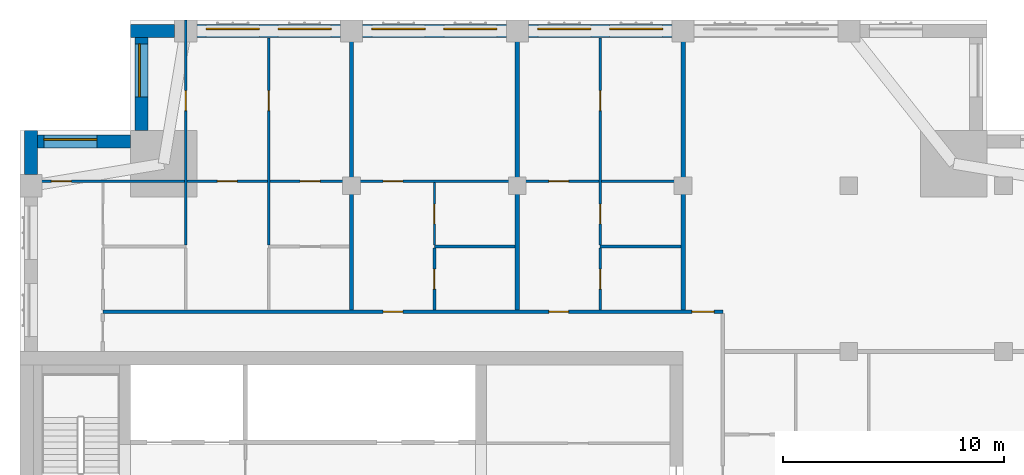
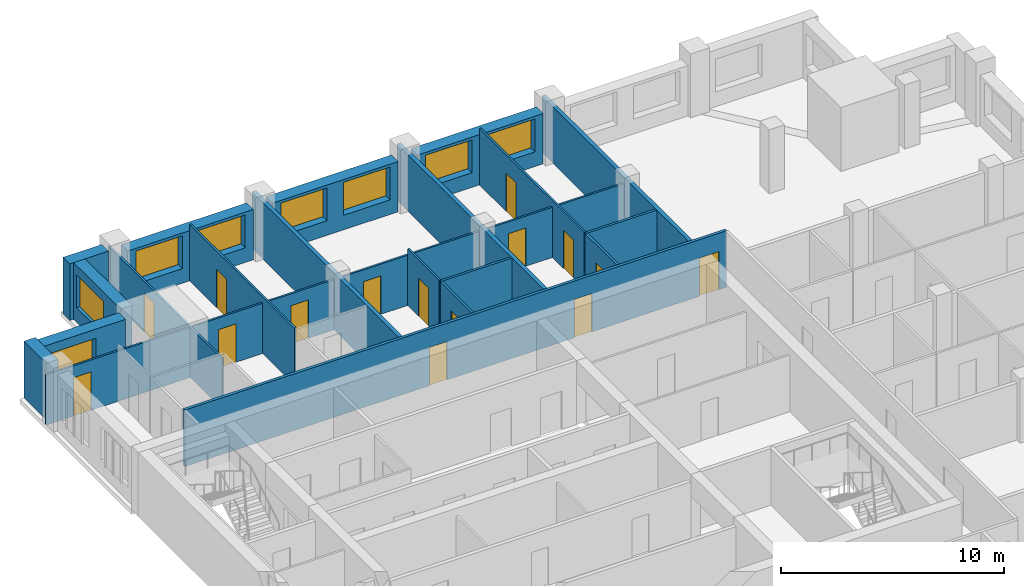
# One storey, part 7 of 11: 20 walls, 15 doors, 8 windows, 23 openings.
"""IFC4 building model written with IfcOpenShell, lengths in metres."""

import ifcopenshell
import ifcopenshell.guid

model = None  # the IFC model being written
_history = None  # IfcOwnerHistory: only IFC2X3 demands one
_inside = {}  # id of a spatial element -> (the spatial element, [elements in it])
_under = {}  # id of a project, library or spatial element -> (it, [spatial elements below it])
_declared = {}  # id of a project -> (the project, [libraries it declares])
_typed = {}  # id of a type object -> (the type object, [elements of that type])
_made_of = {}  # id of a material, layer set ... -> (it, [elements and type objects made of it])


def new_model(schema):
    """Start an empty IFC model of exactly this schema.

    Asked for "IFC4X3", IfcOpenShell would pick the latest addendum, in which some entities
    have other attributes; the version numbers below select the first issue.
    IFC2X3 requires an IfcOwnerHistory on every rooted entity: one is made here for all.
    """
    global model, _history
    if schema == "IFC4X3":
        model = ifcopenshell.file(schema_version=(4, 3, 0, 0))
    else:
        model = ifcopenshell.file(schema=schema)
    _inside.clear()
    _under.clear()
    _declared.clear()
    _typed.clear()
    _made_of.clear()
    _history = None
    if model.schema == "IFC2X3":
        org = make("IfcOrganization", Name="unknown")
        user = make(
            "IfcPersonAndOrganization",
            ThePerson=make("IfcPerson", FamilyName="unknown"),
            TheOrganization=org,
        )
        app = make(
            "IfcApplication",
            ApplicationDeveloper=org,
            Version="unknown",
            ApplicationFullName="unknown",
            ApplicationIdentifier="unknown",
        )
        _history = make(
            "IfcOwnerHistory",
            OwningUser=user,
            OwningApplication=app,
            ChangeAction="ADDED",
            CreationDate=0,
        )
    return model


def make(cls, **values):
    """One entity of the class cls with the attributes given. An attribute that is None is left unset."""
    return model.create_entity(
        cls, **{name: value for name, value in values.items() if value is not None}
    )


def rooted(cls, **values):
    """An entity with a GlobalId (a new one), such as an element, a storey or a relation."""
    return make(cls, GlobalId=ifcopenshell.guid.new(), OwnerHistory=_history, **values)


def si_unit(unit_type, name, prefix=None):
    """IfcSIUnit, for example si_unit("LENGTHUNIT", "METRE", prefix="MILLI")."""
    return make("IfcSIUnit", UnitType=unit_type, Prefix=prefix, Name=name)


def assignment(units):
    """IfcUnitAssignment: the units of a project."""
    return None if units is None else make("IfcUnitAssignment", Units=units)


def point(xyz):
    """IfcCartesianPoint."""
    return None if xyz is None else make("IfcCartesianPoint", Coordinates=xyz)


def direction(xyz):
    """IfcDirection."""
    return None if xyz is None else make("IfcDirection", DirectionRatios=xyz)


def frame(location, z_axis=None, x_axis=None):
    """IfcAxis2Placement3D, a coordinate frame: its origin and axes. An axis left out is left unset."""
    return make(
        "IfcAxis2Placement3D",
        Location=point(location),
        Axis=direction(z_axis),
        RefDirection=direction(x_axis),
    )


def frame_2d(location, x_axis=None):
    """IfcAxis2Placement2D, a coordinate frame in the plane: its origin and x axis."""
    return make(
        "IfcAxis2Placement2D", Location=point(location), RefDirection=direction(x_axis)
    )


def origin():
    """The frame at (0, 0, 0) with its axes left unset."""
    return frame((0.0, 0.0, 0.0))


def place(relative_to, where):
    """IfcLocalPlacement: puts the frame where relative to a parent placement (None: the world)."""
    return make(
        "IfcLocalPlacement", PlacementRelTo=relative_to, RelativePlacement=where
    )


def context(
    kind, dimensions, precision=None, world=None, true_north=None, identifier=None
):
    """IfcGeometricRepresentationContext, for example the 3D "Model" context."""
    return make(
        "IfcGeometricRepresentationContext",
        ContextIdentifier=identifier,
        ContextType=kind,
        CoordinateSpaceDimension=dimensions,
        Precision=precision,
        WorldCoordinateSystem=world,
        TrueNorth=true_north,
    )


def subcontext(parent, identifier, kind, view, scale=None):
    """IfcGeometricRepresentationSubContext, for example "Body" below "Model"."""
    return make(
        "IfcGeometricRepresentationSubContext",
        ContextIdentifier=identifier,
        ContextType=kind,
        ParentContext=parent,
        TargetScale=scale,
        TargetView=view,
    )


def project(units=None, contexts=None):
    """IfcProject with its units and contexts."""
    return rooted(
        "IfcProject",
        Name="project",
        RepresentationContexts=contexts,
        UnitsInContext=assignment(units),
    )


def spatial(cls, under=None, at=None, **own):
    """A site, building, storey or space (cls), placed at a placement, below another one or the project."""
    s = rooted(cls, ObjectPlacement=at, **own)
    if under is not None:
        _under.setdefault(under.id(), (under, []))[1].append(s)
    return s


def profile(cls, at=None, kind="AREA", **sizes):
    """A parametric profile (cls). Its sizes go by their IFC names, for example OverallWidth=200.0."""
    return make(cls, ProfileType=kind, Position=at, **sizes)


def rectangle(**sizes):
    """IfcRectangleProfileDef."""
    return profile("IfcRectangleProfileDef", **sizes)


def extrude(swept, where, along, depth):
    """IfcExtrudedAreaSolid: the profile swept, set in the frame where, extruded along a direction by depth."""
    return make(
        "IfcExtrudedAreaSolid",
        SweptArea=swept,
        Position=where,
        ExtrudedDirection=direction(along),
        Depth=depth,
    )


def shape(context_of_items, identifier, shape_type, items):
    """IfcShapeRepresentation: the items that make up one representation, for example the "Body"."""
    return make(
        "IfcShapeRepresentation",
        ContextOfItems=context_of_items,
        RepresentationIdentifier=identifier,
        RepresentationType=shape_type,
        Items=items,
    )


def material(Name=None, Category=None):
    """IfcMaterial."""
    return make("IfcMaterial", Name=Name, Category=Category)


def layer(
    of_material, thickness, ventilated=None, Name=None, Category=None, Priority=None
):
    """IfcMaterialLayer: one layer of a wall or slab, of a material (None: an air gap)."""
    return make(
        "IfcMaterialLayer",
        Material=of_material,
        LayerThickness=thickness,
        IsVentilated=ventilated,
        Name=Name,
        Category=Category,
        Priority=Priority,
    )


def layer_set(layers, Name=None):
    """IfcMaterialLayerSet."""
    return make("IfcMaterialLayerSet", MaterialLayers=layers, LayerSetName=Name)


def made_of(thing, what):
    """Note that an element or type object is made of a material, layer set ...; save() writes the relation."""
    if what is not None:
        _made_of.setdefault(what.id(), (what, []))[1].append(thing)
    return thing


def type_object(cls, material=None, **own):
    """A type object (cls), such as IfcWallType, which elements share."""
    return made_of(rooted(cls, **own), material)


def element(
    cls,
    number,
    at=None,
    inside=None,
    cuts=None,
    type_object=None,
    material=None,
    context=None,
    identifier="Body",
    shape_type=None,
    held_by="IfcProductDefinitionShape",
    body=None,
    shapes=None,
    **own,
):
    """One element of the class cls, such as IfcWall. Its Tag is "e" and its number.

    at: its placement. inside: the storey or other place that contains it. cuts: it is an
    opening in that element (IfcRelVoidsElement). A single representation is given by context,
    identifier, shape_type and body (its items); several are given by shapes. held_by: the class
    of the entity that holds the representations. save() writes the other relations.
    """
    e = rooted(cls, Tag="e%d" % number, ObjectPlacement=at, **own)
    if body is not None:
        shapes = [shape(context, identifier, shape_type, body)]
    if shapes is not None:
        e.Representation = make(held_by, Representations=shapes)
    if inside is not None:
        _inside.setdefault(inside.id(), (inside, []))[1].append(e)
    if cuts is not None:
        rooted(
            "IfcRelVoidsElement", RelatingBuildingElement=cuts, RelatedOpeningElement=e
        )
    if type_object is not None:
        _typed.setdefault(type_object.id(), (type_object, []))[1].append(e)
    return made_of(e, material)


def fill(opening, filler):
    """IfcRelFillsElement: the door or window that sits in an opening."""
    return rooted(
        "IfcRelFillsElement",
        RelatingOpeningElement=opening,
        RelatedBuildingElement=filler,
    )


def aggregate(whole, parts):
    """IfcRelAggregates: a whole, such as a stair, and the parts it consists of."""
    return rooted("IfcRelAggregates", RelatingObject=whole, RelatedObjects=parts)


def save(model, path):
    """Write the relations noted so far, then the file.

    IfcRelAggregates (storeys below a building ...), IfcRelContainedInSpatialStructure (elements
    in a storey), IfcRelDefinesByType, IfcRelAssociatesMaterial and IfcRelDeclares: one each for
    every whole, place, type object, material and project.
    """
    for whole, parts in _under.values():
        aggregate(whole, parts)
    for where, things in _inside.values():
        rooted(
            "IfcRelContainedInSpatialStructure",
            RelatedElements=things,
            RelatingStructure=where,
        )
    for kind, things in _typed.values():
        rooted("IfcRelDefinesByType", RelatedObjects=things, RelatingType=kind)
    for what, things in _made_of.values():
        rooted("IfcRelAssociatesMaterial", RelatedObjects=things, RelatingMaterial=what)
    for by, libraries in _declared.values():
        rooted("IfcRelDeclares", RelatingContext=by, RelatedDefinitions=libraries)
    model.write(path)


model = new_model("IFC4")

# Units and contexts
model_context = context("Model", 3, precision=1e-05, world=origin(), true_north=direction((0.0, 1.0)))
body_context = subcontext(model_context, "Body", "Model", "MODEL_VIEW")
ifc_project = project(units=[si_unit("LENGTHUNIT", "METRE"), si_unit("AREAUNIT", "SQUARE_METRE"), si_unit("VOLUMEUNIT", "CUBIC_METRE"), si_unit("PLANEANGLEUNIT", "RADIAN"), si_unit("MASSUNIT", "GRAM", prefix="KILO")], contexts=[model_context])

# Site, building, storey
site_placement = place(None, origin())
site = spatial("IfcSite", under=ifc_project, at=site_placement, CompositionType="ELEMENT")
building_placement = place(site_placement, origin())
building = spatial("IfcBuilding", under=site, at=building_placement, Name="Tamorin Gate", CompositionType="ELEMENT")
storey_placement = place(building_placement, frame((0.0, 0.0, 254.699951171875)))
storey = spatial("IfcBuildingStorey", under=building, at=storey_placement, Name="L64", CompositionType="ELEMENT", Elevation=254.699951171875)

# Wall, openings, windows
ifc_material_1 = material(Name="Precast concrete C40/50", Category="concrete")
ifc_layer_1 = layer(ifc_material_1, 0.60009765625)
ifc_layer_set_1 = layer_set([ifc_layer_1], Name="Precast concrete C40/50")
wall_type_1 = type_object("IfcWallType", Name="Board-marked concrete facade panel 600", PredefinedType="SOLIDWALL", material=ifc_layer_set_1)
wall_1_placement = place(storey_placement, frame((59.5, 97.0, 0.0), z_axis=(0.0, 0.0, 1.0), x_axis=(-1.0, 0.0, 0.0)))
wall_1 = element("IfcWall", 1, at=wall_1_placement, inside=storey, type_object=wall_type_1, Name="Facade panel", PredefinedType="SOLIDWALL", context=body_context, shape_type="SweptSolid", body=[
    extrude(rectangle(XDim=6.5, YDim=0.60009765625, at=frame_2d((3.25, 0.0))), origin(), (0.0, 0.0, 1.0), 2.75),
])
opening_1_placement = place(wall_1_placement, frame((3.675048828125, 0.0, 0.800048828125)))
opening_1 = element("IfcOpeningElement", 2, at=opening_1_placement, cuts=wall_1, Name="Opening WN1", PredefinedType="OPENING", context=body_context, shape_type="SweptSolid", body=[
    extrude(rectangle(XDim=2.39990234375, YDim=1.800048828125, at=frame_2d((1.199951171875, 0.89990234375))), frame((0.0, 0.31005859375, 0.0), z_axis=(0.0, -1.0, 0.0), x_axis=(1.0, 0.0, 0.0)), (0.0, 0.0, 1.0), 0.6201171875),
])
opening_2_placement = place(wall_1_placement, frame((0.425048828125, 0.0, 0.800048828125)))
opening_2 = element("IfcOpeningElement", 3, at=opening_2_placement, cuts=wall_1, Name="Opening WN1", PredefinedType="OPENING", context=body_context, shape_type="SweptSolid", body=[
    extrude(rectangle(XDim=2.39990234375, YDim=1.800048828125, at=frame_2d((1.199951171875, 0.89990234375))), frame((0.0, 0.31005859375, 0.0), z_axis=(0.0, -1.0, 0.0), x_axis=(1.0, 0.0, 0.0)), (0.0, 0.0, 1.0), 0.6201171875),
])
ifc_material_2 = material(Name="Clear glass in aluminium frame", Category="aluminium")
window_type = type_object("IfcWindowType", Name="Deep-set window 2400x1800", PartitioningType="SINGLE_PANEL", PredefinedType="WINDOW", material=ifc_material_2)
window_1_placement = place(opening_1_placement, origin())
window_1 = element("IfcWindow", 4, at=window_1_placement, inside=storey, type_object=window_type, Name="Deep-set window", OverallHeight=1.800048828125, OverallWidth=2.39990234375, PartitioningType="SINGLE_PANEL", PredefinedType="WINDOW", context=body_context, shape_type="SweptSolid", body=[
    extrude(rectangle(XDim=2.39990234375, YDim=1.800048828125, at=frame_2d((1.199951171875, 0.89990234375))), frame((0.0, -0.070068359375, 0.0), z_axis=(0.0, -1.0, 0.0), x_axis=(1.0, 0.0, 0.0)), (0.0, 0.0, 1.0), 0.06005859375),
])
fill(opening_1, window_1)
window_2_placement = place(opening_2_placement, origin())
window_2 = element("IfcWindow", 5, at=window_2_placement, inside=storey, type_object=window_type, Name="Deep-set window", OverallHeight=1.800048828125, OverallWidth=2.39990234375, PartitioningType="SINGLE_PANEL", PredefinedType="WINDOW", context=body_context, shape_type="SweptSolid", body=[
    extrude(rectangle(XDim=2.39990234375, YDim=1.800048828125, at=frame_2d((1.199951171875, 0.89990234375))), frame((0.0, -0.070068359375, 0.0), z_axis=(0.0, -1.0, 0.0), x_axis=(1.0, 0.0, 0.0)), (0.0, 0.0, 1.0), 0.06005859375),
])
fill(opening_2, window_2)

wall_2_placement = place(storey_placement, frame((52.0, 97.0, 0.0), z_axis=(0.0, 0.0, 1.0), x_axis=(-1.0, 0.0, 0.0)))
wall_2 = element("IfcWall", 6, at=wall_2_placement, inside=storey, type_object=wall_type_1, Name="Facade panel", PredefinedType="SOLIDWALL", context=body_context, shape_type="SweptSolid", body=[
    extrude(rectangle(XDim=6.5, YDim=0.60009765625, at=frame_2d((3.25, 0.0))), origin(), (0.0, 0.0, 1.0), 2.75),
])
opening_3_placement = place(wall_2_placement, frame((3.675048828125, 0.0, 0.800048828125)))
opening_3 = element("IfcOpeningElement", 7, at=opening_3_placement, cuts=wall_2, Name="Opening WN1", PredefinedType="OPENING", context=body_context, shape_type="SweptSolid", body=[
    extrude(rectangle(XDim=2.39990234375, YDim=1.800048828125, at=frame_2d((1.199951171875, 0.89990234375))), frame((0.0, 0.31005859375, 0.0), z_axis=(0.0, -1.0, 0.0), x_axis=(1.0, 0.0, 0.0)), (0.0, 0.0, 1.0), 0.6201171875),
])
opening_4_placement = place(wall_2_placement, frame((0.425048828125, 0.0, 0.800048828125)))
opening_4 = element("IfcOpeningElement", 8, at=opening_4_placement, cuts=wall_2, Name="Opening WN1", PredefinedType="OPENING", context=body_context, shape_type="SweptSolid", body=[
    extrude(rectangle(XDim=2.39990234375, YDim=1.800048828125, at=frame_2d((1.199951171875, 0.89990234375))), frame((0.0, 0.31005859375, 0.0), z_axis=(0.0, -1.0, 0.0), x_axis=(1.0, 0.0, 0.0)), (0.0, 0.0, 1.0), 0.6201171875),
])
window_3_placement = place(opening_3_placement, origin())
window_3 = element("IfcWindow", 9, at=window_3_placement, inside=storey, type_object=window_type, Name="Deep-set window", OverallHeight=1.800048828125, OverallWidth=2.39990234375, PartitioningType="SINGLE_PANEL", PredefinedType="WINDOW", context=body_context, shape_type="SweptSolid", body=[
    extrude(rectangle(XDim=2.39990234375, YDim=1.800048828125, at=frame_2d((1.199951171875, 0.89990234375))), frame((0.0, -0.070068359375, 0.0), z_axis=(0.0, -1.0, 0.0), x_axis=(1.0, 0.0, 0.0)), (0.0, 0.0, 1.0), 0.06005859375),
])
fill(opening_3, window_3)
window_4_placement = place(opening_4_placement, origin())
window_4 = element("IfcWindow", 10, at=window_4_placement, inside=storey, type_object=window_type, Name="Deep-set window", OverallHeight=1.800048828125, OverallWidth=2.39990234375, PartitioningType="SINGLE_PANEL", PredefinedType="WINDOW", context=body_context, shape_type="SweptSolid", body=[
    extrude(rectangle(XDim=2.39990234375, YDim=1.800048828125, at=frame_2d((1.199951171875, 0.89990234375))), frame((0.0, -0.070068359375, 0.0), z_axis=(0.0, -1.0, 0.0), x_axis=(1.0, 0.0, 0.0)), (0.0, 0.0, 1.0), 0.06005859375),
])
fill(opening_4, window_4)

wall_3_placement = place(storey_placement, frame((44.5, 97.0, 0.0), z_axis=(0.0, 0.0, 1.0), x_axis=(-1.0, 0.0, 0.0)))
wall_3 = element("IfcWall", 11, at=wall_3_placement, inside=storey, type_object=wall_type_1, Name="Facade panel", PredefinedType="SOLIDWALL", context=body_context, shape_type="SweptSolid", body=[
    extrude(rectangle(XDim=6.5, YDim=0.60009765625, at=frame_2d((3.25, 0.0))), origin(), (0.0, 0.0, 1.0), 2.75),
])
opening_5_placement = place(wall_3_placement, frame((3.675048828125, 0.0, 0.800048828125)))
opening_5 = element("IfcOpeningElement", 12, at=opening_5_placement, cuts=wall_3, Name="Opening WN1", PredefinedType="OPENING", context=body_context, shape_type="SweptSolid", body=[
    extrude(rectangle(XDim=2.39990234375, YDim=1.800048828125, at=frame_2d((1.199951171875, 0.89990234375))), frame((0.0, 0.31005859375, 0.0), z_axis=(0.0, -1.0, 0.0), x_axis=(1.0, 0.0, 0.0)), (0.0, 0.0, 1.0), 0.6201171875),
])
opening_6_placement = place(wall_3_placement, frame((0.425048828125, 0.0, 0.800048828125)))
opening_6 = element("IfcOpeningElement", 13, at=opening_6_placement, cuts=wall_3, Name="Opening WN1", PredefinedType="OPENING", context=body_context, shape_type="SweptSolid", body=[
    extrude(rectangle(XDim=2.39990234375, YDim=1.800048828125, at=frame_2d((1.199951171875, 0.89990234375))), frame((0.0, 0.31005859375, 0.0), z_axis=(0.0, -1.0, 0.0), x_axis=(1.0, 0.0, 0.0)), (0.0, 0.0, 1.0), 0.6201171875),
])
window_5_placement = place(opening_5_placement, origin())
window_5 = element("IfcWindow", 14, at=window_5_placement, inside=storey, type_object=window_type, Name="Deep-set window", OverallHeight=1.800048828125, OverallWidth=2.39990234375, PartitioningType="SINGLE_PANEL", PredefinedType="WINDOW", context=body_context, shape_type="SweptSolid", body=[
    extrude(rectangle(XDim=2.39990234375, YDim=1.800048828125, at=frame_2d((1.199951171875, 0.89990234375))), frame((0.0, -0.070068359375, 0.0), z_axis=(0.0, -1.0, 0.0), x_axis=(1.0, 0.0, 0.0)), (0.0, 0.0, 1.0), 0.06005859375),
])
fill(opening_5, window_5)
window_6_placement = place(opening_6_placement, origin())
window_6 = element("IfcWindow", 15, at=window_6_placement, inside=storey, type_object=window_type, Name="Deep-set window", OverallHeight=1.800048828125, OverallWidth=2.39990234375, PartitioningType="SINGLE_PANEL", PredefinedType="WINDOW", context=body_context, shape_type="SweptSolid", body=[
    extrude(rectangle(XDim=2.39990234375, YDim=1.800048828125, at=frame_2d((1.199951171875, 0.89990234375))), frame((0.0, -0.070068359375, 0.0), z_axis=(0.0, -1.0, 0.0), x_axis=(1.0, 0.0, 0.0)), (0.0, 0.0, 1.0), 0.06005859375),
])
fill(opening_6, window_6)

# Wall
wall_4_placement = place(storey_placement, frame((37.0, 97.0, 0.0), z_axis=(0.0, 0.0, 1.0), x_axis=(-1.0, 0.0, 0.0)))
element("IfcWall", 16, at=wall_4_placement, inside=storey, type_object=wall_type_1, Name="Facade panel", PredefinedType="SOLIDWALL", context=body_context, shape_type="SweptSolid", body=[
    extrude(rectangle(XDim=2.0, YDim=0.60009765625, at=frame_2d((1.0, 0.0))), origin(), (0.0, 0.0, 1.0), 3.10009765625),
])

# Wall, opening, window
wall_5_placement = place(storey_placement, frame((35.5, 96.699951171875, 0.0), z_axis=(0.0, 0.0, 1.0), x_axis=(0.0, -1.0, 0.0)))
wall_5 = element("IfcWall", 17, at=wall_5_placement, inside=storey, type_object=wall_type_1, Name="Facade panel", PredefinedType="SOLIDWALL", context=body_context, shape_type="SweptSolid", body=[
    extrude(rectangle(XDim=4.199951171875, YDim=0.60009765625, at=frame_2d((2.10009765625, 0.0))), origin(), (0.0, 0.0, 1.0), 3.10009765625),
])
opening_7_placement = place(wall_5_placement, frame((0.27490234375, 0.0, 0.800048828125)))
opening_7 = element("IfcOpeningElement", 18, at=opening_7_placement, cuts=wall_5, Name="Opening WN1", PredefinedType="OPENING", context=body_context, shape_type="SweptSolid", body=[
    extrude(rectangle(XDim=2.39990234375, YDim=1.800048828125, at=frame_2d((1.199951171875, 0.89990234375))), frame((0.0, 0.31005859375, 0.0), z_axis=(0.0, -1.0, 0.0), x_axis=(1.0, 0.0, 0.0)), (0.0, 0.0, 1.0), 0.6201171875),
])
window_7_placement = place(opening_7_placement, origin())
window_7 = element("IfcWindow", 19, at=window_7_placement, inside=storey, type_object=window_type, Name="Deep-set window", OverallHeight=1.800048828125, OverallWidth=2.39990234375, PartitioningType="SINGLE_PANEL", PredefinedType="WINDOW", context=body_context, shape_type="SweptSolid", body=[
    extrude(rectangle(XDim=2.39990234375, YDim=1.800048828125, at=frame_2d((1.199951171875, 0.89990234375))), frame((0.0, -0.070068359375, 0.0), z_axis=(0.0, -1.0, 0.0), x_axis=(1.0, 0.0, 0.0)), (0.0, 0.0, 1.0), 0.06005859375),
])
fill(opening_7, window_7)

wall_6_placement = place(storey_placement, frame((35.0, 92.0, 0.0), z_axis=(0.0, 0.0, 1.0), x_axis=(-1.0, 0.0, 0.0)))
wall_6 = element("IfcWall", 20, at=wall_6_placement, inside=storey, type_object=wall_type_1, Name="Facade panel", PredefinedType="SOLIDWALL", context=body_context, shape_type="SweptSolid", body=[
    extrude(rectangle(XDim=4.199951171875, YDim=0.60009765625, at=frame_2d((2.10009765625, 0.0))), origin(), (0.0, 0.0, 1.0), 3.10009765625),
])
opening_8_placement = place(wall_6_placement, frame((1.52490234375, 0.0, 0.800048828125)))
opening_8 = element("IfcOpeningElement", 21, at=opening_8_placement, cuts=wall_6, Name="Opening WN1", PredefinedType="OPENING", context=body_context, shape_type="SweptSolid", body=[
    extrude(rectangle(XDim=2.39990234375, YDim=1.800048828125, at=frame_2d((1.199951171875, 0.89990234375))), frame((0.0, 0.31005859375, 0.0), z_axis=(0.0, -1.0, 0.0), x_axis=(1.0, 0.0, 0.0)), (0.0, 0.0, 1.0), 0.6201171875),
])
window_8_placement = place(opening_8_placement, origin())
window_8 = element("IfcWindow", 22, at=window_8_placement, inside=storey, type_object=window_type, Name="Deep-set window", OverallHeight=1.800048828125, OverallWidth=2.39990234375, PartitioningType="SINGLE_PANEL", PredefinedType="WINDOW", context=body_context, shape_type="SweptSolid", body=[
    extrude(rectangle(XDim=2.39990234375, YDim=1.800048828125, at=frame_2d((1.199951171875, 0.89990234375))), frame((0.0, -0.070068359375, 0.0), z_axis=(0.0, -1.0, 0.0), x_axis=(1.0, 0.0, 0.0)), (0.0, 0.0, 1.0), 0.06005859375),
])
fill(opening_8, window_8)

# Wall
wall_7_placement = place(storey_placement, frame((30.5, 92.5, 0.0), z_axis=(0.0, 0.0, 1.0), x_axis=(0.0, -1.0, 0.0)))
element("IfcWall", 23, at=wall_7_placement, inside=storey, type_object=wall_type_1, Name="Facade panel", PredefinedType="SOLIDWALL", context=body_context, shape_type="SweptSolid", body=[
    extrude(rectangle(XDim=2.0, YDim=0.60009765625, at=frame_2d((1.0, 0.0))), origin(), (0.0, 0.0, 1.0), 3.10009765625),
])

# Wall, openings, doors
ifc_material_3 = material(Name="Gypsum board partition")
ifc_layer_2 = layer(ifc_material_3, 0.14990234375)
ifc_layer_set_2 = layer_set([ifc_layer_2], Name="Corridor wall 150")
wall_type_2 = type_object("IfcWallType", Name="Corridor wall 150", PredefinedType="PARTITIONING", material=ifc_layer_set_2)
wall_8_placement = place(storey_placement, frame((33.75, 84.300048828125, 0.0), z_axis=(0.0, 0.0, 1.0), x_axis=(1.0, 0.0, 0.0)))
wall_8 = element("IfcWall", 24, at=wall_8_placement, inside=storey, type_object=wall_type_2, Name="Corridor wall 150", PredefinedType="PARTITIONING", context=body_context, shape_type="SweptSolid", body=[
    extrude(rectangle(XDim=28.050048828125, YDim=0.14990234375, at=frame_2d((14.02490234375, 0.0))), origin(), (0.0, 0.0, 1.0), 3.10009765625),
])
opening_9_placement = place(wall_8_placement, frame((12.675048828125, 0.0, 0.0)))
opening_9 = element("IfcOpeningElement", 25, at=opening_9_placement, cuts=wall_8, Name="Opening DR6034", PredefinedType="OPENING", context=body_context, shape_type="SweptSolid", body=[
    extrude(rectangle(XDim=0.89990234375, YDim=2.10009765625, at=frame_2d((0.449951171875, 1.050048828125))), frame((0.0, 0.0849609375, 0.0), z_axis=(0.0, -1.0, 0.0), x_axis=(1.0, 0.0, 0.0)), (0.0, 0.0, 1.0), 0.169921875),
])
opening_10_placement = place(wall_8_placement, frame((20.175048828125, 0.0, 0.0)))
opening_10 = element("IfcOpeningElement", 26, at=opening_10_placement, cuts=wall_8, Name="Opening DR6038", PredefinedType="OPENING", context=body_context, shape_type="SweptSolid", body=[
    extrude(rectangle(XDim=0.89990234375, YDim=2.10009765625, at=frame_2d((0.449951171875, 1.050048828125))), frame((0.0, 0.0849609375, 0.0), z_axis=(0.0, -1.0, 0.0), x_axis=(1.0, 0.0, 0.0)), (0.0, 0.0, 1.0), 0.169921875),
])
opening_11_placement = place(wall_8_placement, frame((26.64990234375, 0.0, 0.0)))
opening_11 = element("IfcOpeningElement", 27, at=opening_11_placement, cuts=wall_8, Name="Opening DR6043", PredefinedType="OPENING", context=body_context, shape_type="SweptSolid", body=[
    extrude(rectangle(XDim=1.0, YDim=2.10009765625, at=frame_2d((0.5, 1.050048828125))), frame((0.0, 0.0849609375, 0.0), z_axis=(0.0, -1.0, 0.0), x_axis=(1.0, 0.0, 0.0)), (0.0, 0.0, 1.0), 0.169921875),
])
ifc_material_4 = material(Name="Timber door leaf", Category="wood")
door_type_1 = type_object("IfcDoorType", Name="Door 1000 x 2100 FD30S", OperationType="NOTDEFINED", PredefinedType="DOOR", material=ifc_material_4)
door_1_placement = place(opening_11_placement, origin())
door_1 = element("IfcDoor", 28, at=door_1_placement, inside=storey, type_object=door_type_1, Name="Door DR6043", OperationType="SINGLE_SWING_LEFT", OverallHeight=2.10009765625, OverallWidth=1.0, PredefinedType="DOOR", context=body_context, shape_type="SweptSolid", body=[
    extrude(rectangle(XDim=1.0, YDim=2.10009765625, at=frame_2d((0.5, 1.050048828125))), frame((0.0, 0.02490234375, 0.0), z_axis=(0.0, -1.0, 0.0), x_axis=(1.0, 0.0, 0.0)), (0.0, 0.0, 1.0), 0.050048828125),
])
fill(opening_11, door_1)
door_type_2 = type_object("IfcDoorType", Name="Door 900 x 2100 FD30S", OperationType="NOTDEFINED", PredefinedType="DOOR", material=ifc_material_4)
door_2_placement = place(opening_9_placement, origin())
door_2 = element("IfcDoor", 29, at=door_2_placement, inside=storey, type_object=door_type_2, Name="Door DR6034", OperationType="SINGLE_SWING_LEFT", OverallHeight=2.10009765625, OverallWidth=0.89990234375, PredefinedType="DOOR", context=body_context, shape_type="SweptSolid", body=[
    extrude(rectangle(XDim=0.89990234375, YDim=2.10009765625, at=frame_2d((0.449951171875, 1.050048828125))), frame((0.0, 0.02490234375, 0.0), z_axis=(0.0, -1.0, 0.0), x_axis=(1.0, 0.0, 0.0)), (0.0, 0.0, 1.0), 0.050048828125),
])
fill(opening_9, door_2)
door_3_placement = place(opening_10_placement, origin())
door_3 = element("IfcDoor", 30, at=door_3_placement, inside=storey, type_object=door_type_2, Name="Door DR6038", OperationType="SINGLE_SWING_LEFT", OverallHeight=2.10009765625, OverallWidth=0.89990234375, PredefinedType="DOOR", context=body_context, shape_type="SweptSolid", body=[
    extrude(rectangle(XDim=0.89990234375, YDim=2.10009765625, at=frame_2d((0.449951171875, 1.050048828125))), frame((0.0, 0.02490234375, 0.0), z_axis=(0.0, -1.0, 0.0), x_axis=(1.0, 0.0, 0.0)), (0.0, 0.0, 1.0), 0.050048828125),
])
fill(opening_10, door_3)

# Walls
ifc_layer_3 = layer(ifc_material_3, 0.199951171875)
ifc_layer_set_3 = layer_set([ifc_layer_3], Name="Demising wall 200")
wall_type_3 = type_object("IfcWallType", Name="Demising wall 200", PredefinedType="PARTITIONING", material=ifc_layer_set_3)
for number, where, z_axis, x_axis, name in (
    (31, (45.0, 84.375, 0.0), (0.0, 0.0, 1.0), (0.0, 1.0, 0.0), "Demising wall 200"),
    (32, (52.5, 84.375, 0.0), (0.0, 0.0, 1.0), (0.0, 1.0, 0.0), "Demising wall 200"),
    (33, (60.0, 84.375, 0.0), (0.0, 0.0, 1.0), (0.0, 1.0, 0.0), "Demising wall 200"),
):
    element("IfcWall", number, at=place(storey_placement, frame(where, z_axis=z_axis, x_axis=x_axis)), inside=storey, type_object=wall_type_3, Name=name, PredefinedType="PARTITIONING", context=body_context, shape_type="SweptSolid", body=[
        extrude(rectangle(XDim=13.125, YDim=0.199951171875, at=frame_2d((6.5625, 0.0))), origin(), (0.0, 0.0, 1.0), 3.10009765625),
    ])

# Wall, openings, doors
ifc_layer_4 = layer(ifc_material_3, 0.10009765625)
ifc_layer_set_4 = layer_set([ifc_layer_4], Name="Room partition 100")
wall_type_4 = type_object("IfcWallType", Name="Room partition 100", PredefinedType="PARTITIONING", material=ifc_layer_set_4)
wall_9_placement = place(storey_placement, frame((30.0, 90.199951171875, 0.0), z_axis=(0.0, 0.0, 1.0), x_axis=(1.0, 0.0, 0.0)))
wall_9 = element("IfcWall", 34, at=wall_9_placement, inside=storey, type_object=wall_type_4, Name="Room partition 100", PredefinedType="PARTITIONING", context=body_context, shape_type="SweptSolid", body=[
    extrude(rectangle(XDim=29.89990234375, YDim=0.10009765625, at=frame_2d((14.949951171875, 0.0))), origin(), (0.0, 0.0, 1.0), 2.75),
])
opening_12_placement = place(wall_9_placement, frame((1.425048828125, 0.0, 0.0)))
opening_12 = element("IfcOpeningElement", 35, at=opening_12_placement, cuts=wall_9, Name="Opening DR6026", PredefinedType="OPENING", context=body_context, shape_type="SweptSolid", body=[
    extrude(rectangle(XDim=0.89990234375, YDim=2.10009765625, at=frame_2d((0.449951171875, 1.050048828125))), frame((0.0, 0.06005859375, 0.0), z_axis=(0.0, -1.0, 0.0), x_axis=(1.0, 0.0, 0.0)), (0.0, 0.0, 1.0), 0.1201171875),
])
opening_13_placement = place(wall_9_placement, frame((8.925048828125, 0.0, 0.0)))
opening_13 = element("IfcOpeningElement", 36, at=opening_13_placement, cuts=wall_9, Name="Opening DR6029", PredefinedType="OPENING", context=body_context, shape_type="SweptSolid", body=[
    extrude(rectangle(XDim=0.89990234375, YDim=2.10009765625, at=frame_2d((0.449951171875, 1.050048828125))), frame((0.0, 0.06005859375, 0.0), z_axis=(0.0, -1.0, 0.0), x_axis=(1.0, 0.0, 0.0)), (0.0, 0.0, 1.0), 0.1201171875),
])
opening_14_placement = place(wall_9_placement, frame((12.675048828125, 0.0, 0.0)))
opening_14 = element("IfcOpeningElement", 37, at=opening_14_placement, cuts=wall_9, Name="Opening DR6030", PredefinedType="OPENING", context=body_context, shape_type="SweptSolid", body=[
    extrude(rectangle(XDim=0.89990234375, YDim=2.10009765625, at=frame_2d((0.449951171875, 1.050048828125))), frame((0.0, 0.06005859375, 0.0), z_axis=(0.0, -1.0, 0.0), x_axis=(1.0, 0.0, 0.0)), (0.0, 0.0, 1.0), 0.1201171875),
])
opening_15_placement = place(wall_9_placement, frame((16.425048828125, 0.0, 0.0)))
opening_15 = element("IfcOpeningElement", 38, at=opening_15_placement, cuts=wall_9, Name="Opening DR6035", PredefinedType="OPENING", context=body_context, shape_type="SweptSolid", body=[
    extrude(rectangle(XDim=0.89990234375, YDim=2.10009765625, at=frame_2d((0.449951171875, 1.050048828125))), frame((0.0, 0.06005859375, 0.0), z_axis=(0.0, -1.0, 0.0), x_axis=(1.0, 0.0, 0.0)), (0.0, 0.0, 1.0), 0.1201171875),
])
opening_16_placement = place(wall_9_placement, frame((23.925048828125, 0.0, 0.0)))
opening_16 = element("IfcOpeningElement", 39, at=opening_16_placement, cuts=wall_9, Name="Opening DR6039", PredefinedType="OPENING", context=body_context, shape_type="SweptSolid", body=[
    extrude(rectangle(XDim=0.89990234375, YDim=2.10009765625, at=frame_2d((0.449951171875, 1.050048828125))), frame((0.0, 0.06005859375, 0.0), z_axis=(0.0, -1.0, 0.0), x_axis=(1.0, 0.0, 0.0)), (0.0, 0.0, 1.0), 0.1201171875),
])
door_type_3 = type_object("IfcDoorType", Name="Door 900 x 2100", OperationType="NOTDEFINED", PredefinedType="DOOR", material=ifc_material_4)
door_4_placement = place(opening_12_placement, origin())
door_4 = element("IfcDoor", 40, at=door_4_placement, inside=storey, type_object=door_type_3, Name="Door DR6026", OperationType="SINGLE_SWING_RIGHT", OverallHeight=2.10009765625, OverallWidth=0.89990234375, PredefinedType="DOOR", context=body_context, shape_type="SweptSolid", body=[
    extrude(rectangle(XDim=0.89990234375, YDim=2.10009765625, at=frame_2d((0.449951171875, 1.050048828125))), frame((0.0, 0.02490234375, 0.0), z_axis=(0.0, -1.0, 0.0), x_axis=(1.0, 0.0, 0.0)), (0.0, 0.0, 1.0), 0.050048828125),
])
fill(opening_12, door_4)
door_5_placement = place(opening_13_placement, origin())
door_5 = element("IfcDoor", 41, at=door_5_placement, inside=storey, type_object=door_type_3, Name="Door DR6029", OperationType="SINGLE_SWING_RIGHT", OverallHeight=2.10009765625, OverallWidth=0.89990234375, PredefinedType="DOOR", context=body_context, shape_type="SweptSolid", body=[
    extrude(rectangle(XDim=0.89990234375, YDim=2.10009765625, at=frame_2d((0.449951171875, 1.050048828125))), frame((0.0, 0.02490234375, 0.0), z_axis=(0.0, -1.0, 0.0), x_axis=(1.0, 0.0, 0.0)), (0.0, 0.0, 1.0), 0.050048828125),
])
fill(opening_13, door_5)
door_6_placement = place(opening_14_placement, origin())
door_6 = element("IfcDoor", 42, at=door_6_placement, inside=storey, type_object=door_type_3, Name="Door DR6030", OperationType="SINGLE_SWING_RIGHT", OverallHeight=2.10009765625, OverallWidth=0.89990234375, PredefinedType="DOOR", context=body_context, shape_type="SweptSolid", body=[
    extrude(rectangle(XDim=0.89990234375, YDim=2.10009765625, at=frame_2d((0.449951171875, 1.050048828125))), frame((0.0, 0.02490234375, 0.0), z_axis=(0.0, -1.0, 0.0), x_axis=(1.0, 0.0, 0.0)), (0.0, 0.0, 1.0), 0.050048828125),
])
fill(opening_14, door_6)
door_7_placement = place(opening_15_placement, origin())
door_7 = element("IfcDoor", 43, at=door_7_placement, inside=storey, type_object=door_type_3, Name="Door DR6035", OperationType="SINGLE_SWING_RIGHT", OverallHeight=2.10009765625, OverallWidth=0.89990234375, PredefinedType="DOOR", context=body_context, shape_type="SweptSolid", body=[
    extrude(rectangle(XDim=0.89990234375, YDim=2.10009765625, at=frame_2d((0.449951171875, 1.050048828125))), frame((0.0, 0.02490234375, 0.0), z_axis=(0.0, -1.0, 0.0), x_axis=(1.0, 0.0, 0.0)), (0.0, 0.0, 1.0), 0.050048828125),
])
fill(opening_15, door_7)
door_8_placement = place(opening_16_placement, origin())
door_8 = element("IfcDoor", 44, at=door_8_placement, inside=storey, type_object=door_type_3, Name="Door DR6039", OperationType="SINGLE_SWING_RIGHT", OverallHeight=2.10009765625, OverallWidth=0.89990234375, PredefinedType="DOOR", context=body_context, shape_type="SweptSolid", body=[
    extrude(rectangle(XDim=0.89990234375, YDim=2.10009765625, at=frame_2d((0.449951171875, 1.050048828125))), frame((0.0, 0.02490234375, 0.0), z_axis=(0.0, -1.0, 0.0), x_axis=(1.0, 0.0, 0.0)), (0.0, 0.0, 1.0), 0.050048828125),
])
fill(opening_16, door_8)

# Wall, opening, door
wall_10_placement = place(storey_placement, frame((37.5, 87.3125, 0.0), z_axis=(0.0, 0.0, 1.0), x_axis=(0.0, 1.0, 0.0)))
wall_10 = element("IfcWall", 45, at=wall_10_placement, inside=storey, type_object=wall_type_4, Name="Room partition 100", PredefinedType="PARTITIONING", context=body_context, shape_type="SweptSolid", body=[
    extrude(rectangle(XDim=10.1875, YDim=0.10009765625, at=frame_2d((5.09375, 0.0))), origin(), (0.0, 0.0, 1.0), 2.75),
])
opening_17_placement = place(wall_10_placement, frame((6.08740234375, 0.0, 0.0)))
opening_17 = element("IfcOpeningElement", 46, at=opening_17_placement, cuts=wall_10, Name="Opening DR6032", PredefinedType="OPENING", context=body_context, shape_type="SweptSolid", body=[
    extrude(rectangle(XDim=0.89990234375, YDim=2.10009765625, at=frame_2d((0.449951171875, 1.050048828125))), frame((0.0, 0.06005859375, 0.0), z_axis=(0.0, -1.0, 0.0), x_axis=(1.0, 0.0, 0.0)), (0.0, 0.0, 1.0), 0.1201171875),
])
door_9_placement = place(opening_17_placement, origin())
door_9 = element("IfcDoor", 47, at=door_9_placement, inside=storey, type_object=door_type_3, Name="Door DR6032", OperationType="SINGLE_SWING_LEFT", OverallHeight=2.10009765625, OverallWidth=0.89990234375, PredefinedType="DOOR", context=body_context, shape_type="SweptSolid", body=[
    extrude(rectangle(XDim=0.89990234375, YDim=2.10009765625, at=frame_2d((0.449951171875, 1.050048828125))), frame((0.0, 0.02490234375, 0.0), z_axis=(0.0, -1.0, 0.0), x_axis=(1.0, 0.0, 0.0)), (0.0, 0.0, 1.0), 0.050048828125),
])
fill(opening_17, door_9)

wall_11_placement = place(storey_placement, frame((41.25, 87.3125, 0.0), z_axis=(0.0, 0.0, 1.0), x_axis=(0.0, 1.0, 0.0)))
wall_11 = element("IfcWall", 48, at=wall_11_placement, inside=storey, type_object=wall_type_4, Name="Room partition 100", PredefinedType="PARTITIONING", context=body_context, shape_type="SweptSolid", body=[
    extrude(rectangle(XDim=9.37744140625, YDim=0.10009765625, at=frame_2d((4.688720703125, 0.0))), origin(), (0.0, 0.0, 1.0), 3.10009765625),
])
opening_18_placement = place(wall_11_placement, frame((6.08740234375, 0.0, 0.0)))
opening_18 = element("IfcOpeningElement", 49, at=opening_18_placement, cuts=wall_11, Name="Opening DR6033", PredefinedType="OPENING", context=body_context, shape_type="SweptSolid", body=[
    extrude(rectangle(XDim=0.89990234375, YDim=2.10009765625, at=frame_2d((0.449951171875, 1.050048828125))), frame((0.0, 0.06005859375, 0.0), z_axis=(0.0, -1.0, 0.0), x_axis=(1.0, 0.0, 0.0)), (0.0, 0.0, 1.0), 0.1201171875),
])
door_10_placement = place(opening_18_placement, origin())
door_10 = element("IfcDoor", 50, at=door_10_placement, inside=storey, type_object=door_type_3, Name="Door DR6033", OperationType="SINGLE_SWING_LEFT", OverallHeight=2.10009765625, OverallWidth=0.89990234375, PredefinedType="DOOR", context=body_context, shape_type="SweptSolid", body=[
    extrude(rectangle(XDim=0.89990234375, YDim=2.10009765625, at=frame_2d((0.449951171875, 1.050048828125))), frame((0.0, 0.02490234375, 0.0), z_axis=(0.0, -1.0, 0.0), x_axis=(1.0, 0.0, 0.0)), (0.0, 0.0, 1.0), 0.050048828125),
])
fill(opening_18, door_10)

wall_12_placement = place(storey_placement, frame((48.75, 87.3125, 0.0), z_axis=(0.0, 0.0, 1.0), x_axis=(0.0, 1.0, 0.0)))
wall_12 = element("IfcWall", 51, at=wall_12_placement, inside=storey, type_object=wall_type_4, Name="Room partition 100", PredefinedType="PARTITIONING", context=body_context, shape_type="SweptSolid", body=[
    extrude(rectangle(XDim=2.83740234375, YDim=0.10009765625, at=frame_2d((1.418701171875, 0.0))), origin(), (0.0, 0.0, 1.0), 3.10009765625),
])
opening_19_placement = place(wall_12_placement, frame((0.96240234375, 0.0, 0.0)))
opening_19 = element("IfcOpeningElement", 52, at=opening_19_placement, cuts=wall_12, Name="Opening DR6036", PredefinedType="OPENING", context=body_context, shape_type="SweptSolid", body=[
    extrude(rectangle(XDim=0.89990234375, YDim=2.10009765625, at=frame_2d((0.449951171875, 1.050048828125))), frame((0.0, 0.06005859375, 0.0), z_axis=(0.0, -1.0, 0.0), x_axis=(1.0, 0.0, 0.0)), (0.0, 0.0, 1.0), 0.1201171875),
])
door_11_placement = place(opening_19_placement, origin())
door_11 = element("IfcDoor", 53, at=door_11_placement, inside=storey, type_object=door_type_3, Name="Door DR6036", OperationType="SINGLE_SWING_RIGHT", OverallHeight=2.10009765625, OverallWidth=0.89990234375, PredefinedType="DOOR", context=body_context, shape_type="SweptSolid", body=[
    extrude(rectangle(XDim=0.89990234375, YDim=2.10009765625, at=frame_2d((0.449951171875, 1.050048828125))), frame((0.0, 0.02490234375, 0.0), z_axis=(0.0, -1.0, 0.0), x_axis=(1.0, 0.0, 0.0)), (0.0, 0.0, 1.0), 0.050048828125),
])
fill(opening_19, door_11)

# Wall, openings, doors
wall_13_placement = place(storey_placement, frame((56.25, 87.3125, 0.0), z_axis=(0.0, 0.0, 1.0), x_axis=(0.0, 1.0, 0.0)))
wall_13 = element("IfcWall", 54, at=wall_13_placement, inside=storey, type_object=wall_type_4, Name="Room partition 100", PredefinedType="PARTITIONING", context=body_context, shape_type="SweptSolid", body=[
    extrude(rectangle(XDim=9.37744140625, YDim=0.10009765625, at=frame_2d((4.688720703125, 0.0))), origin(), (0.0, 0.0, 1.0), 3.10009765625),
])
opening_20_placement = place(wall_13_placement, frame((0.96240234375, 0.0, 0.0)))
opening_20 = element("IfcOpeningElement", 55, at=opening_20_placement, cuts=wall_13, Name="Opening DR6040", PredefinedType="OPENING", context=body_context, shape_type="SweptSolid", body=[
    extrude(rectangle(XDim=0.89990234375, YDim=2.10009765625, at=frame_2d((0.449951171875, 1.050048828125))), frame((0.0, 0.06005859375, 0.0), z_axis=(0.0, -1.0, 0.0), x_axis=(1.0, 0.0, 0.0)), (0.0, 0.0, 1.0), 0.1201171875),
])
opening_21_placement = place(wall_13_placement, frame((6.08740234375, 0.0, 0.0)))
opening_21 = element("IfcOpeningElement", 56, at=opening_21_placement, cuts=wall_13, Name="Opening DR6042", PredefinedType="OPENING", context=body_context, shape_type="SweptSolid", body=[
    extrude(rectangle(XDim=0.89990234375, YDim=2.10009765625, at=frame_2d((0.449951171875, 1.050048828125))), frame((0.0, 0.06005859375, 0.0), z_axis=(0.0, -1.0, 0.0), x_axis=(1.0, 0.0, 0.0)), (0.0, 0.0, 1.0), 0.1201171875),
])
door_12_placement = place(opening_20_placement, origin())
door_12 = element("IfcDoor", 57, at=door_12_placement, inside=storey, type_object=door_type_3, Name="Door DR6040", OperationType="SINGLE_SWING_RIGHT", OverallHeight=2.10009765625, OverallWidth=0.89990234375, PredefinedType="DOOR", context=body_context, shape_type="SweptSolid", body=[
    extrude(rectangle(XDim=0.89990234375, YDim=2.10009765625, at=frame_2d((0.449951171875, 1.050048828125))), frame((0.0, 0.02490234375, 0.0), z_axis=(0.0, -1.0, 0.0), x_axis=(1.0, 0.0, 0.0)), (0.0, 0.0, 1.0), 0.050048828125),
])
fill(opening_20, door_12)
door_13_placement = place(opening_21_placement, origin())
door_13 = element("IfcDoor", 58, at=door_13_placement, inside=storey, type_object=door_type_3, Name="Door DR6042", OperationType="SINGLE_SWING_LEFT", OverallHeight=2.10009765625, OverallWidth=0.89990234375, PredefinedType="DOOR", context=body_context, shape_type="SweptSolid", body=[
    extrude(rectangle(XDim=0.89990234375, YDim=2.10009765625, at=frame_2d((0.449951171875, 1.050048828125))), frame((0.0, 0.02490234375, 0.0), z_axis=(0.0, -1.0, 0.0), x_axis=(1.0, 0.0, 0.0)), (0.0, 0.0, 1.0), 0.050048828125),
])
fill(opening_21, door_13)

# Walls
ifc_layer_5 = layer(ifc_material_3, 0.125)
ifc_layer_set_5 = layer_set([ifc_layer_5], Name="Wet wall 125")
wall_type_5 = type_object("IfcWallType", Name="Wet wall 125", PredefinedType="PARTITIONING", material=ifc_layer_set_5)
for number, where, z_axis, x_axis, name in (
    (59, (48.75, 87.25, 0.0), (0.0, 0.0, 1.0), (1.0, 0.0, 0.0), "Wet wall 125"),
    (60, (56.25, 87.25, 0.0), (0.0, 0.0, 1.0), (1.0, 0.0, 0.0), "Wet wall 125"),
):
    element("IfcWall", number, at=place(storey_placement, frame(where, z_axis=z_axis, x_axis=x_axis)), inside=storey, type_object=wall_type_5, Name=name, PredefinedType="PARTITIONING", context=body_context, shape_type="SweptSolid", body=[
        extrude(rectangle(XDim=3.64990234375, YDim=0.125, at=frame_2d((1.824951171875, 0.0))), origin(), (0.0, 0.0, 1.0), 3.10009765625),
    ])

# Wall, opening, door
wall_14_placement = place(storey_placement, frame((48.75, 84.375, 0.0), z_axis=(0.0, 0.0, 1.0), x_axis=(0.0, 1.0, 0.0)))
wall_14 = element("IfcWall", 61, at=wall_14_placement, inside=storey, type_object=wall_type_5, Name="Wet wall 125", PredefinedType="PARTITIONING", context=body_context, shape_type="SweptSolid", body=[
    extrude(rectangle(XDim=2.8125, YDim=0.125, at=frame_2d((1.40625, 0.0))), origin(), (0.0, 0.0, 1.0), 3.10009765625),
])
opening_22_placement = place(wall_14_placement, frame((0.949951171875, 0.0, 0.0)))
opening_22 = element("IfcOpeningElement", 62, at=opening_22_placement, cuts=wall_14, Name="Opening DR6037", PredefinedType="OPENING", context=body_context, shape_type="SweptSolid", body=[
    extrude(rectangle(XDim=0.89990234375, YDim=2.10009765625, at=frame_2d((0.449951171875, 1.050048828125))), frame((0.0, 0.072509765625, 0.0), z_axis=(0.0, -1.0, 0.0), x_axis=(1.0, 0.0, 0.0)), (0.0, 0.0, 1.0), 0.14501953125),
])
door_14_placement = place(opening_22_placement, origin())
door_14 = element("IfcDoor", 63, at=door_14_placement, inside=storey, type_object=door_type_3, Name="Door DR6037", OperationType="SINGLE_SWING_RIGHT", OverallHeight=2.10009765625, OverallWidth=0.89990234375, PredefinedType="DOOR", context=body_context, shape_type="SweptSolid", body=[
    extrude(rectangle(XDim=0.89990234375, YDim=2.10009765625, at=frame_2d((0.449951171875, 1.050048828125))), frame((0.0, 0.02490234375, 0.0), z_axis=(0.0, -1.0, 0.0), x_axis=(1.0, 0.0, 0.0)), (0.0, 0.0, 1.0), 0.050048828125),
])
fill(opening_22, door_14)

wall_15_placement = place(storey_placement, frame((56.25, 84.375, 0.0), z_axis=(0.0, 0.0, 1.0), x_axis=(0.0, 1.0, 0.0)))
wall_15 = element("IfcWall", 64, at=wall_15_placement, inside=storey, type_object=wall_type_5, Name="Wet wall 125", PredefinedType="PARTITIONING", context=body_context, shape_type="SweptSolid", body=[
    extrude(rectangle(XDim=2.8125, YDim=0.125, at=frame_2d((1.40625, 0.0))), origin(), (0.0, 0.0, 1.0), 3.10009765625),
])
opening_23_placement = place(wall_15_placement, frame((0.949951171875, 0.0, 0.0)))
opening_23 = element("IfcOpeningElement", 65, at=opening_23_placement, cuts=wall_15, Name="Opening DR6041", PredefinedType="OPENING", context=body_context, shape_type="SweptSolid", body=[
    extrude(rectangle(XDim=0.89990234375, YDim=2.10009765625, at=frame_2d((0.449951171875, 1.050048828125))), frame((0.0, 0.072509765625, 0.0), z_axis=(0.0, -1.0, 0.0), x_axis=(1.0, 0.0, 0.0)), (0.0, 0.0, 1.0), 0.14501953125),
])
door_15_placement = place(opening_23_placement, origin())
door_15 = element("IfcDoor", 66, at=door_15_placement, inside=storey, type_object=door_type_3, Name="Door DR6041", OperationType="SINGLE_SWING_RIGHT", OverallHeight=2.10009765625, OverallWidth=0.89990234375, PredefinedType="DOOR", context=body_context, shape_type="SweptSolid", body=[
    extrude(rectangle(XDim=0.89990234375, YDim=2.10009765625, at=frame_2d((0.449951171875, 1.050048828125))), frame((0.0, 0.02490234375, 0.0), z_axis=(0.0, -1.0, 0.0), x_axis=(1.0, 0.0, 0.0)), (0.0, 0.0, 1.0), 0.050048828125),
])
fill(opening_23, door_15)

save(model, "model.ifc")
